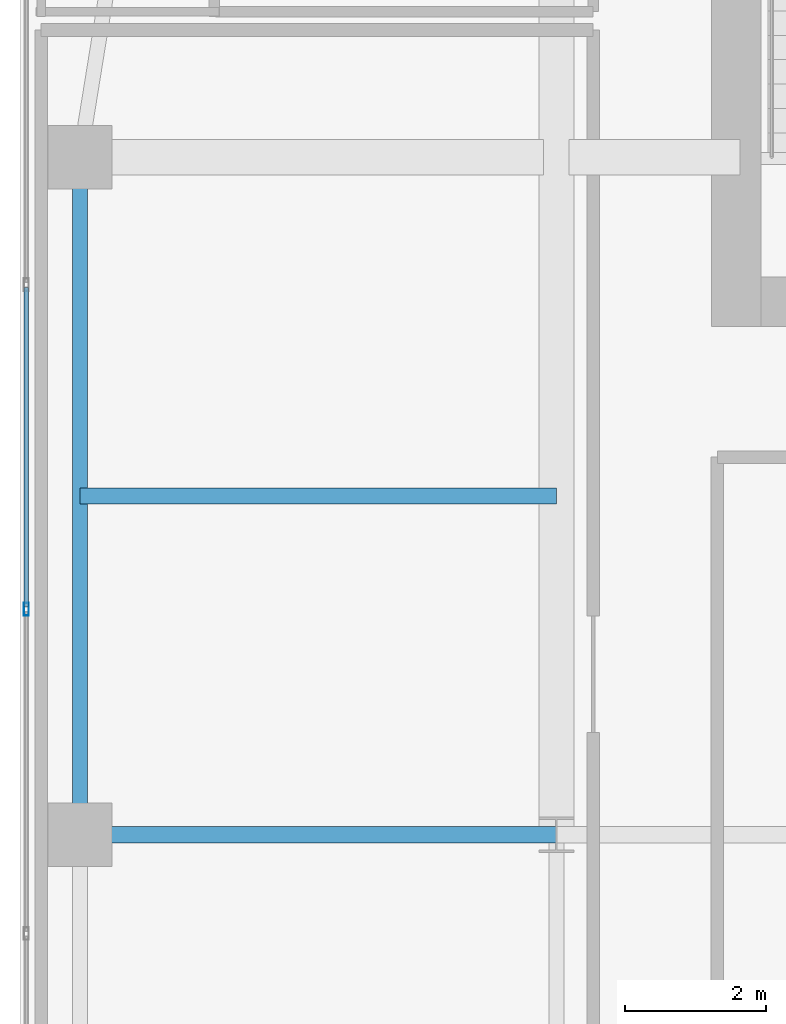
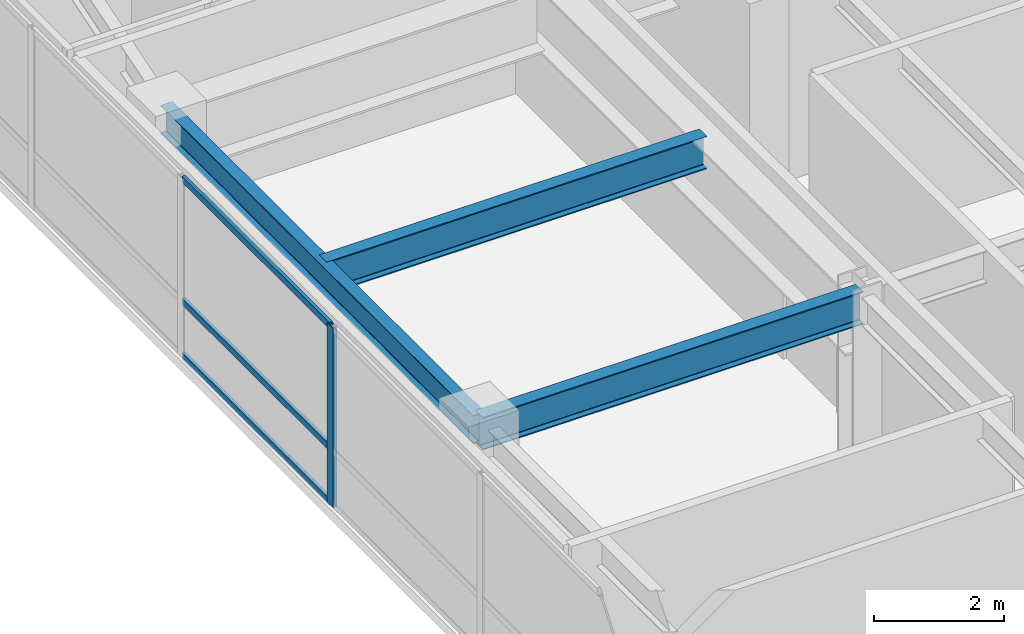
# One storey, part 10 of 37: 4 members, 3 beams, 1 element without a shape of its own.
"""IFC4 building model written with IfcOpenShell, lengths in metres."""

from ifc_helpers import new_model, si_unit, direction, frame, origin, origin_2d, place, context, subcontext, project, spatial, hollow_rectangle, i_section, extrude, source, transform, mapped, material, layer, layer_set, material_profile, profile_set, type_object, type_shapes, element, aggregate, save


model = new_model("IFC4")

# Units and contexts
model_context = context("Model", 3, precision=1e-05, world=origin(), true_north=direction((0.0, 1.0)))
body_context = subcontext(model_context, "Body", "Model", "MODEL_VIEW")
ifc_project = project(units=[si_unit("LENGTHUNIT", "METRE"), si_unit("AREAUNIT", "SQUARE_METRE"), si_unit("VOLUMEUNIT", "CUBIC_METRE"), si_unit("PLANEANGLEUNIT", "RADIAN"), si_unit("MASSUNIT", "GRAM", prefix="KILO")], contexts=[model_context])

# Site, building, storey
site_placement = place(None, origin())
site = spatial("IfcSite", under=ifc_project, at=site_placement, CompositionType="ELEMENT")
building_placement = place(site_placement, origin())
building = spatial("IfcBuilding", under=site, at=building_placement, Name="Tolvann Quenvar Hotel", CompositionType="ELEMENT")
storey_placement = place(building_placement, frame((0.0, 0.0, 104.449951171875)))
storey = spatial("IfcBuildingStorey", under=building, at=storey_placement, Name="L26", CompositionType="ELEMENT", Elevation=104.449951171875)

# Beams
ifc_material_1 = material(Name="Steel Grade 350", Category="steel")
ifc_material_profile_1 = material_profile(ifc_material_1, i_section(OverallWidth=0.22900390625, OverallDepth=0.612060546875, WebThickness=0.011962890625, FlangeThickness=0.01953125, FilletRadius=0.013916015625, at=origin_2d()), Name="610UB125")
ifc_profile_set_1 = profile_set([ifc_material_profile_1], Name="Steel Grade 350")
beam_type_1 = type_object("IfcBeamType", Name="BM_GIRD_610UB125", PredefinedType="BEAM", material=ifc_profile_set_1)
shared_shape_1 = source(origin(), body_context, "Body", "SweptSolid", [
    extrude(i_section(OverallWidth=0.22900390625, OverallDepth=0.612060546875, WebThickness=0.011962890625, FlangeThickness=0.01953125, FilletRadius=0.013916015625, at=origin_2d()), origin(), (0.0, 0.0, 1.0), 6.75),
])
type_shapes(beam_type_1, [shared_shape_1])
for number, where, z_axis, x_axis, name in (
    (1, (0.85009765625, 24.39990234375, 3.06396484375), (1.0, 0.0, 0.0), (0.0, 1.0, 0.0), "BM-L26-EW-5-B5-C5"),
    (2, (0.85009765625, 29.199951171875, 3.06396484375), (1.0, 0.0, 0.0), (0.0, 1.0, 0.0), "BM-L26-EW-BC29"),
):
    element("IfcBeam", number, at=place(storey_placement, frame(where, z_axis=z_axis, x_axis=x_axis)), inside=storey, type_object=beam_type_1, Name=name, PredefinedType="BEAM", context=body_context, shape_type="MappedRepresentation", body=[
        mapped(shared_shape_1, transform((0.0, 0.0, 0.0), x_axis=(1.0, 0.0, 0.0), y_axis=(0.0, 1.0, 0.0), z_axis=(0.0, 0.0, 1.0), scale=1.0)),
    ])
ifc_material_profile_2 = material_profile(ifc_material_1, i_section(OverallWidth=0.208984375, OverallDepth=0.528076171875, WebThickness=0.009521484375, FlangeThickness=0.01318359375, FilletRadius=0.013916015625, at=origin_2d()), Name="530UB82")
ifc_profile_set_2 = profile_set([ifc_material_profile_2], Name="Steel Grade 350")
beam_type_2 = type_object("IfcBeamType", Name="BM_SPAND_530UB82", PredefinedType="SPANDREL", material=ifc_profile_set_2)
shared_shape_2 = source(origin(), body_context, "Body", "SweptSolid", [
    extrude(i_section(OverallWidth=0.208984375, OverallDepth=0.528076171875, WebThickness=0.009521484375, FlangeThickness=0.01318359375, FilletRadius=0.013916015625, at=origin_2d()), origin(), (0.0, 0.0, 1.0), 9.60009765625),
])
type_shapes(beam_type_2, [shared_shape_2])
beam_placement = place(storey_placement, frame((0.85009765625, 24.39990234375, 3.10595703125), z_axis=(0.0, 1.0, 0.0), x_axis=(-1.0, 0.0, 0.0)))
element("IfcBeam", 3, at=beam_placement, inside=storey, type_object=beam_type_2, Name="BM-L26-FLK-W1", PredefinedType="SPANDREL", context=body_context, shape_type="MappedRepresentation", body=[
    mapped(shared_shape_2, transform((0.0, 0.0, 0.0), x_axis=(1.0, 0.0, 0.0), y_axis=(0.0, 1.0, 0.0), z_axis=(0.0, 0.0, 1.0), scale=1.0)),
])

# Curtain wall, members
ifc_material_2 = material(Name="Thermally broken anodised architectural aluminium 6063-T6 and laminated low-E glass", Category="aluminium")
ifc_layer = layer(ifc_material_2, 0.179931640625)
ifc_layer_set = layer_set([ifc_layer], Name="Thermally broken anodised architectural aluminium 6063-T6 and laminated low-E glass")
curtain_wall_type = type_object("IfcCurtainWallType", Name="CW_SYS_BAND_04", PredefinedType="USERDEFINED", material=ifc_layer_set)
curtain_wall_placement = place(storey_placement, origin())
curtain_wall = element("IfcCurtainWall", 4, at=curtain_wall_placement, inside=storey, type_object=curtain_wall_type, Name="Curtain Wall CW-BAND-04 (CWR-L26-E23)", ObjectType="UNITISED CURTAIN WALL", PredefinedType="USERDEFINED")
ifc_material_3 = material(Name="Anodised architectural aluminium 6063-T6 framing", Category="aluminium")
ifc_material_profile_3 = material_profile(ifc_material_3, hollow_rectangle(XDim=0.070068359375, YDim=0.179931640625, WallThickness=0.00390625, at=origin_2d()), Name="180x70x4RHS")
ifc_profile_set_3 = profile_set([ifc_material_profile_3], Name="Anodised architectural aluminium 6063-T6 framing")
member_type_1 = type_object("IfcMemberType", Name="CW_MULL_180x70", PredefinedType="MULLION", material=ifc_profile_set_3)
shared_shape_3 = source(origin(), body_context, "Body", "SweptSolid", [
    extrude(hollow_rectangle(XDim=0.070068359375, YDim=0.179931640625, WallThickness=0.00390625, at=origin_2d()), origin(), (0.0, 0.0, 1.0), 3.3701171875),
])
type_shapes(member_type_1, [shared_shape_3])
member_1_placement = place(storey_placement, frame((0.090087890625, 27.595703125, 0.0), z_axis=(0.0, 0.0, 1.0), x_axis=(1.0, 0.0, 0.0)))
member_1 = element("IfcMember", 5, at=member_1_placement, type_object=member_type_1, Name="CW-BAND-04 mullion 4", PredefinedType="MULLION", context=body_context, shape_type="MappedRepresentation", body=[
    mapped(shared_shape_3, transform((0.0, 0.0, 0.0), x_axis=(1.0, 0.0, 0.0), y_axis=(0.0, 1.0, 0.0), z_axis=(0.0, 0.0, 1.0), scale=1.0)),
])
ifc_material_profile_4 = material_profile(ifc_material_3, hollow_rectangle(XDim=0.06005859375, YDim=0.1201171875, WallThickness=0.00341796875, at=origin_2d()), Name="120x60x3.5RHS")
ifc_profile_set_4 = profile_set([ifc_material_profile_4], Name="Anodised architectural aluminium 6063-T6 framing")
member_type_2 = type_object("IfcMemberType", Name="CW_TRAN_120x60", PredefinedType="USERDEFINED", material=ifc_profile_set_4)
shared_shape_4 = source(origin(), body_context, "Body", "SweptSolid", [
    extrude(hollow_rectangle(XDim=0.06005859375, YDim=0.1201171875, WallThickness=0.00341796875, at=origin_2d()), origin(), (0.0, 0.0, 1.0), 4.52587890625),
])
type_shapes(member_type_2, [shared_shape_4])
member_2_placement = place(storey_placement, frame((0.090087890625, 32.156494140625, 0.030029296875), z_axis=(0.0, -1.0, 0.0), x_axis=(1.0, 0.0, 0.0)))
member_2 = element("IfcMember", 6, at=member_2_placement, type_object=member_type_2, Name="CW-BAND-04 transom 3.1", ObjectType="TRANSOM", PredefinedType="USERDEFINED", context=body_context, shape_type="MappedRepresentation", body=[
    mapped(shared_shape_4, transform((0.0, 0.0, 0.0), x_axis=(1.0, 0.0, 0.0), y_axis=(0.0, 1.0, 0.0), z_axis=(0.0, 0.0, 1.0), scale=1.0)),
])
member_3_placement = place(storey_placement, frame((0.090087890625, 32.156494140625, 1.050048828125), z_axis=(0.0, -1.0, 0.0), x_axis=(1.0, 0.0, 0.0)))
member_3 = element("IfcMember", 7, at=member_3_placement, type_object=member_type_2, Name="CW-BAND-04 transom 3.2", ObjectType="TRANSOM", PredefinedType="USERDEFINED", context=body_context, shape_type="MappedRepresentation", body=[
    mapped(shared_shape_4, transform((0.0, 0.0, 0.0), x_axis=(1.0, 0.0, 0.0), y_axis=(0.0, 1.0, 0.0), z_axis=(0.0, 0.0, 1.0), scale=1.0)),
])
member_4_placement = place(storey_placement, frame((0.090087890625, 32.156494140625, 3.340087890625), z_axis=(0.0, -1.0, 0.0), x_axis=(1.0, 0.0, 0.0)))
member_4 = element("IfcMember", 8, at=member_4_placement, type_object=member_type_2, Name="CW-BAND-04 transom 3.3", ObjectType="TRANSOM", PredefinedType="USERDEFINED", context=body_context, shape_type="MappedRepresentation", body=[
    mapped(shared_shape_4, transform((0.0, 0.0, 0.0), x_axis=(1.0, 0.0, 0.0), y_axis=(0.0, 1.0, 0.0), z_axis=(0.0, 0.0, 1.0), scale=1.0)),
])
aggregate(curtain_wall, [member_1, member_2, member_3, member_4])

save(model, "model.ifc")
